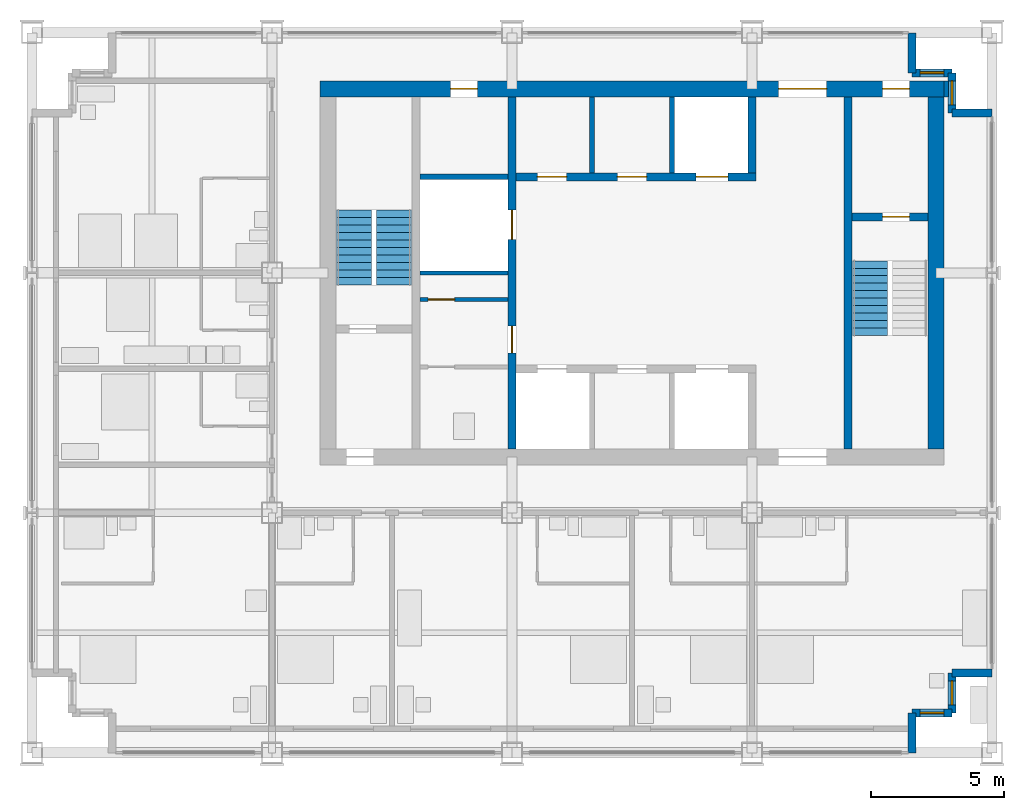
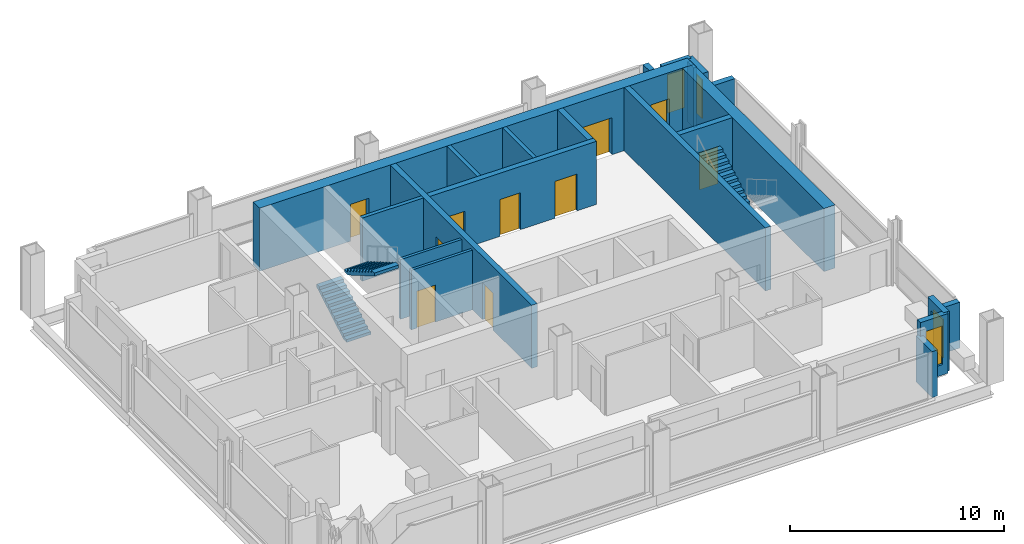
# One storey, part 8 of 12: 21 walls, 10 doors, 4 windows, 3 stair flights, 14 openings, 2 elements without a shape of their own.
"""IFC4 building model written with IfcOpenShell, lengths in metres."""

from ifc_helpers import new_model, si_unit, direction, frame, frame_2d, origin, place, context, subcontext, project, spatial, polyline, rectangle, outline, extrude, material, layer, layer_set, type_object, element, fill, aggregate, save


model = new_model("IFC4")

# Units and contexts
model_context = context("Model", 3, precision=1e-05, world=origin(), true_north=direction((0.0, 1.0)))
body_context = subcontext(model_context, "Body", "Model", "MODEL_VIEW")
ifc_project = project(units=[si_unit("LENGTHUNIT", "METRE"), si_unit("AREAUNIT", "SQUARE_METRE"), si_unit("VOLUMEUNIT", "CUBIC_METRE"), si_unit("PLANEANGLEUNIT", "RADIAN"), si_unit("MASSUNIT", "GRAM", prefix="KILO")], contexts=[model_context])

# Site, building, storey
site_placement = place(None, origin())
site = spatial("IfcSite", under=ifc_project, at=site_placement, CompositionType="ELEMENT")
building_placement = place(site_placement, origin())
building = spatial("IfcBuilding", under=site, at=building_placement, Name="Loomwork Tower", CompositionType="ELEMENT")
storey_placement = place(building_placement, frame((0.0, 0.0, 237.39990234375)))
storey = spatial("IfcBuildingStorey", under=building, at=storey_placement, Name="L65", CompositionType="ELEMENT", Elevation=237.39990234375)

# Wall, openings, doors
ifc_material_1 = material(Name="Concrete 14000 psi (97 MPa)", Category="concrete")
ifc_layer_1 = layer(ifc_material_1, 0.300048828125)
ifc_layer_set_1 = layer_set([ifc_layer_1], Name="Core shear wall 300")
wall_type_1 = type_object("IfcWallType", Name="Core shear wall 300", PredefinedType="SHEAR", material=ifc_layer_set_1)
wall_1_placement = place(storey_placement, frame((18.0, 11.39990234375, 0.0), z_axis=(0.0, 0.0, 1.0), x_axis=(0.0, 1.0, 0.0)))
wall_1 = element("IfcWall", 1, at=wall_1_placement, inside=storey, type_object=wall_type_1, Name="Lobby west wall L65", PredefinedType="SHEAR", context=body_context, shape_type="SweptSolid", body=[
    extrude(rectangle(XDim=13.2001953125, YDim=0.300048828125, at=frame_2d((6.60009765625, 0.0))), origin(), (0.0, 0.0, 1.0), 3.60009765625),
])
opening_1_placement = place(wall_1_placement, frame((3.60009765625, 0.0, 0.0)))
opening_1 = element("IfcOpeningElement", 2, at=opening_1_placement, cuts=wall_1, Name="Opening D5", PredefinedType="OPENING", context=body_context, shape_type="SweptSolid", body=[
    extrude(rectangle(XDim=1.0, YDim=2.10009765625, at=frame_2d((0.5, 1.050048828125))), frame((0.0, 0.159912109375, 0.0), z_axis=(0.0, -1.0, 0.0), x_axis=(1.0, 0.0, 0.0)), (0.0, 0.0, 1.0), 0.320068359375),
])
opening_2_placement = place(wall_1_placement, frame((7.85009765625, 0.0, 0.0)))
opening_2 = element("IfcOpeningElement", 3, at=opening_2_placement, cuts=wall_1, Name="Opening LD1", PredefinedType="OPENING", context=body_context, shape_type="SweptSolid", body=[
    extrude(rectangle(XDim=1.10009765625, YDim=2.10009765625, at=frame_2d((0.550048828125, 1.050048828125))), frame((0.0, 0.159912109375, 0.0), z_axis=(0.0, -1.0, 0.0), x_axis=(1.0, 0.0, 0.0)), (0.0, 0.0, 1.0), 0.320068359375),
])
ifc_material_2 = material(Name="Hollow metal door and frame")
door_type_1 = type_object("IfcDoorType", Name="Lift landing door 1100", OperationType="SLIDING_TO_LEFT", PredefinedType="DOOR", material=ifc_material_2)
door_1_placement = place(opening_2_placement, origin())
door_1 = element("IfcDoor", 4, at=door_1_placement, inside=storey, type_object=door_type_1, Name="Lift landing door LC2", OperationType="SLIDING_TO_LEFT", OverallHeight=2.10009765625, OverallWidth=1.10009765625, PredefinedType="DOOR", context=body_context, shape_type="SweptSolid", body=[
    extrude(rectangle(XDim=1.10009765625, YDim=2.10009765625, at=frame_2d((0.550048828125, 1.050048828125))), frame((0.0, 0.02490234375, 0.0), z_axis=(0.0, -1.0, 0.0), x_axis=(1.0, 0.0, 0.0)), (0.0, 0.0, 1.0), 0.050048828125),
])
fill(opening_2, door_1)
ifc_material_3 = material(Name="Hollow metal door and frame")
door_type_2 = type_object("IfcDoorType", Name="Service door 1000", OperationType="SINGLE_SWING_LEFT", PredefinedType="DOOR", material=ifc_material_3)
door_2_placement = place(opening_1_placement, origin())
door_2 = element("IfcDoor", 5, at=door_2_placement, inside=storey, type_object=door_type_2, Name="Back-of-house door south", OperationType="SINGLE_SWING_LEFT", OverallHeight=2.10009765625, OverallWidth=1.0, PredefinedType="DOOR", context=body_context, shape_type="SweptSolid", body=[
    extrude(rectangle(XDim=1.0, YDim=2.10009765625, at=frame_2d((0.5, 1.050048828125))), frame((0.0, 0.02490234375, 0.0), z_axis=(0.0, -1.0, 0.0), x_axis=(1.0, 0.0, 0.0)), (0.0, 0.0, 1.0), 0.050048828125),
])
fill(opening_1, door_2)

wall_2_placement = place(storey_placement, frame((18.14990234375, 21.60009765625, 0.0), z_axis=(0.0, 0.0, 1.0), x_axis=(1.0, 0.0, 0.0)))
wall_2 = element("IfcWall", 6, at=wall_2_placement, inside=storey, type_object=wall_type_1, Name="Lift front wall north L65", PredefinedType="SHEAR", context=body_context, shape_type="SweptSolid", body=[
    extrude(rectangle(XDim=9.0, YDim=0.300048828125, at=frame_2d((4.5, 0.0))), origin(), (0.0, 0.0, 1.0), 3.60009765625),
])
opening_3_placement = place(wall_2_placement, frame((6.75, 0.0, 0.0)))
opening_3 = element("IfcOpeningElement", 7, at=opening_3_placement, cuts=wall_2, Name="Opening LD2", PredefinedType="OPENING", context=body_context, shape_type="SweptSolid", body=[
    extrude(rectangle(XDim=1.199951171875, YDim=2.10009765625, at=frame_2d((0.60009765625, 1.050048828125))), frame((0.0, 0.159912109375, 0.0), z_axis=(0.0, -1.0, 0.0), x_axis=(1.0, 0.0, 0.0)), (0.0, 0.0, 1.0), 0.320068359375),
])
opening_4_placement = place(wall_2_placement, frame((0.800048828125, 0.0, 0.0)))
opening_4 = element("IfcOpeningElement", 8, at=opening_4_placement, cuts=wall_2, Name="Opening D17", PredefinedType="OPENING", context=body_context, shape_type="SweptSolid", body=[
    extrude(rectangle(XDim=1.10009765625, YDim=2.10009765625, at=frame_2d((0.550048828125, 1.050048828125))), frame((0.0, 0.159912109375, 0.0), z_axis=(0.0, -1.0, 0.0), x_axis=(1.0, 0.0, 0.0)), (0.0, 0.0, 1.0), 0.320068359375),
])
opening_5_placement = place(wall_2_placement, frame((3.800048828125, 0.0, 0.0)))
opening_5 = element("IfcOpeningElement", 9, at=opening_5_placement, cuts=wall_2, Name="Opening D17", PredefinedType="OPENING", context=body_context, shape_type="SweptSolid", body=[
    extrude(rectangle(XDim=1.10009765625, YDim=2.10009765625, at=frame_2d((0.550048828125, 1.050048828125))), frame((0.0, 0.159912109375, 0.0), z_axis=(0.0, -1.0, 0.0), x_axis=(1.0, 0.0, 0.0)), (0.0, 0.0, 1.0), 0.320068359375),
])
ifc_material_4 = material(Name="Hollow metal door and frame")
door_type_3 = type_object("IfcDoorType", Name="Lift landing door 1200", OperationType="SLIDING_TO_LEFT", PredefinedType="DOOR", material=ifc_material_4)
door_3_placement = place(opening_3_placement, origin())
door_3 = element("IfcDoor", 10, at=door_3_placement, inside=storey, type_object=door_type_3, Name="Lift landing door LF2", OperationType="SLIDING_TO_LEFT", OverallHeight=2.10009765625, OverallWidth=1.199951171875, PredefinedType="DOOR", context=body_context, shape_type="SweptSolid", body=[
    extrude(rectangle(XDim=1.199951171875, YDim=2.10009765625, at=frame_2d((0.60009765625, 1.050048828125))), frame((0.0, 0.02490234375, 0.0), z_axis=(0.0, -1.0, 0.0), x_axis=(1.0, 0.0, 0.0)), (0.0, 0.0, 1.0), 0.050048828125),
])
fill(opening_3, door_3)
ifc_material_5 = material(Name="Hollow metal door and frame")
door_type_4 = type_object("IfcDoorType", Name="Service room door 1100", OperationType="SINGLE_SWING_LEFT", PredefinedType="DOOR", material=ifc_material_5)
door_4_placement = place(opening_4_placement, origin())
door_4 = element("IfcDoor", 11, at=door_4_placement, inside=storey, type_object=door_type_4, Name="Linen and housekeeping store door L65", OperationType="SINGLE_SWING_LEFT", OverallHeight=2.10009765625, OverallWidth=1.10009765625, PredefinedType="DOOR", context=body_context, shape_type="SweptSolid", body=[
    extrude(rectangle(XDim=1.10009765625, YDim=2.10009765625, at=frame_2d((0.550048828125, 1.050048828125))), frame((0.0, 0.02490234375, 0.0), z_axis=(0.0, -1.0, 0.0), x_axis=(1.0, 0.0, 0.0)), (0.0, 0.0, 1.0), 0.050048828125),
])
fill(opening_4, door_4)
door_5_placement = place(opening_5_placement, origin())
door_5 = element("IfcDoor", 12, at=door_5_placement, inside=storey, type_object=door_type_4, Name="IT and communications room door L65", OperationType="SINGLE_SWING_LEFT", OverallHeight=2.10009765625, OverallWidth=1.10009765625, PredefinedType="DOOR", context=body_context, shape_type="SweptSolid", body=[
    extrude(rectangle(XDim=1.10009765625, YDim=2.10009765625, at=frame_2d((0.550048828125, 1.050048828125))), frame((0.0, 0.02490234375, 0.0), z_axis=(0.0, -1.0, 0.0), x_axis=(1.0, 0.0, 0.0)), (0.0, 0.0, 1.0), 0.050048828125),
])
fill(opening_5, door_5)

# Walls
wall_3_placement = place(storey_placement, frame((27.0, 21.75, 0.0), z_axis=(0.0, 0.0, 1.0), x_axis=(0.0, 1.0, 0.0)))
element("IfcWall", 13, at=wall_3_placement, inside=storey, type_object=wall_type_1, Name="Lift shaft end wall north L65", PredefinedType="SHEAR", context=body_context, shape_type="SweptSolid", body=[
    extrude(rectangle(XDim=2.85009765625, YDim=0.300048828125, at=frame_2d((1.425048828125, 0.0))), origin(), (0.0, 0.0, 1.0), 3.60009765625),
])
wall_4_placement = place(storey_placement, frame((30.60009765625, 11.39990234375, 0.0), z_axis=(0.0, 0.0, 1.0), x_axis=(0.0, 1.0, 0.0)))
element("IfcWall", 14, at=wall_4_placement, inside=storey, type_object=wall_type_1, Name="Stair B west wall L65", PredefinedType="SHEAR", context=body_context, shape_type="SweptSolid", body=[
    extrude(rectangle(XDim=13.2001953125, YDim=0.300048828125, at=frame_2d((6.60009765625, 0.0))), origin(), (0.0, 0.0, 1.0), 3.60009765625),
])

# Wall, opening, door
wall_5_placement = place(storey_placement, frame((30.75, 20.10009765625, 0.0), z_axis=(0.0, 0.0, 1.0), x_axis=(1.0, 0.0, 0.0)))
wall_5 = element("IfcWall", 15, at=wall_5_placement, inside=storey, type_object=wall_type_1, Name="Stair B north wall L65", PredefinedType="SHEAR", context=body_context, shape_type="SweptSolid", body=[
    extrude(rectangle(XDim=2.85009765625, YDim=0.300048828125, at=frame_2d((1.425048828125, 0.0))), origin(), (0.0, 0.0, 1.0), 3.60009765625),
])
opening_6_placement = place(wall_5_placement, frame((1.14990234375, 0.0, 0.0)))
opening_6 = element("IfcOpeningElement", 16, at=opening_6_placement, cuts=wall_5, Name="Opening D4", PredefinedType="OPENING", context=body_context, shape_type="SweptSolid", body=[
    extrude(rectangle(XDim=1.0, YDim=2.10009765625, at=frame_2d((0.5, 1.050048828125))), frame((0.0, 0.159912109375, 0.0), z_axis=(0.0, -1.0, 0.0), x_axis=(1.0, 0.0, 0.0)), (0.0, 0.0, 1.0), 0.320068359375),
])
ifc_material_6 = material(Name="Hollow metal door and frame")
door_type_5 = type_object("IfcDoorType", Name="Stair door 1000", OperationType="SINGLE_SWING_RIGHT", PredefinedType="DOOR", material=ifc_material_6)
door_6_placement = place(opening_6_placement, frame((1.0, 0.0, 0.0), z_axis=(0.0, 0.0, 1.0), x_axis=(-1.0, 0.0, 0.0)))
door_6 = element("IfcDoor", 17, at=door_6_placement, inside=storey, type_object=door_type_5, Name="Stair B door", OperationType="SINGLE_SWING_LEFT", OverallHeight=2.10009765625, OverallWidth=1.0, PredefinedType="DOOR", context=body_context, shape_type="SweptSolid", body=[
    extrude(rectangle(XDim=1.0, YDim=2.10009765625, at=frame_2d((0.5, 1.050048828125))), frame((0.0, 0.02490234375, 0.0), z_axis=(0.0, -1.0, 0.0), x_axis=(1.0, 0.0, 0.0)), (0.0, 0.0, 1.0), 0.050048828125),
])
fill(opening_6, door_6)

# Wall, openings, doors
ifc_material_7 = material(Name="Concrete 14000 psi (97 MPa)", Category="concrete")
ifc_layer_2 = layer(ifc_material_7, 0.60009765625)
ifc_layer_set_2 = layer_set([ifc_layer_2], Name="Core shear wall 600")
wall_type_2 = type_object("IfcWallType", Name="Core shear wall 600", PredefinedType="SHEAR", material=ifc_layer_set_2)
wall_6_placement = place(storey_placement, frame((10.800048828125, 24.89990234375, 0.0), z_axis=(0.0, 0.0, 1.0), x_axis=(1.0, 0.0, 0.0)))
wall_6 = element("IfcWall", 18, at=wall_6_placement, inside=storey, type_object=wall_type_2, Name="Core wall north L65", PredefinedType="SHEAR", context=body_context, shape_type="SweptSolid", body=[
    extrude(rectangle(XDim=23.39990234375, YDim=0.60009765625, at=frame_2d((11.699951171875, 0.0))), origin(), (0.0, 0.0, 1.0), 3.60009765625),
])
opening_7_placement = place(wall_6_placement, frame((17.199951171875, 0.0, 0.0)))
opening_7 = element("IfcOpeningElement", 19, at=opening_7_placement, cuts=wall_6, Name="Opening D6", PredefinedType="OPENING", context=body_context, shape_type="SweptSolid", body=[
    extrude(rectangle(XDim=1.800048828125, YDim=2.10009765625, at=frame_2d((0.89990234375, 1.050048828125))), frame((0.0, 0.31005859375, 0.0), z_axis=(0.0, -1.0, 0.0), x_axis=(1.0, 0.0, 0.0)), (0.0, 0.0, 1.0), 0.6201171875),
])
opening_8_placement = place(wall_6_placement, frame((21.10009765625, 0.0, 0.0)))
opening_8 = element("IfcOpeningElement", 20, at=opening_8_placement, cuts=wall_6, Name="Opening D4", PredefinedType="OPENING", context=body_context, shape_type="SweptSolid", body=[
    extrude(rectangle(XDim=1.0, YDim=2.10009765625, at=frame_2d((0.5, 1.050048828125))), frame((0.0, 0.31005859375, 0.0), z_axis=(0.0, -1.0, 0.0), x_axis=(1.0, 0.0, 0.0)), (0.0, 0.0, 1.0), 0.6201171875),
])
opening_9_placement = place(wall_6_placement, frame((4.89990234375, 0.0, 0.0)))
opening_9 = element("IfcOpeningElement", 21, at=opening_9_placement, cuts=wall_6, Name="Opening D5", PredefinedType="OPENING", context=body_context, shape_type="SweptSolid", body=[
    extrude(rectangle(XDim=1.0, YDim=2.10009765625, at=frame_2d((0.5, 1.050048828125))), frame((0.0, 0.31005859375, 0.0), z_axis=(0.0, -1.0, 0.0), x_axis=(1.0, 0.0, 0.0)), (0.0, 0.0, 1.0), 0.6201171875),
])
ifc_material_8 = material(Name="Hollow metal door and frame")
door_type_6 = type_object("IfcDoorType", Name="Lobby passage double door 1800", OperationType="DOUBLE_DOOR_SINGLE_SWING", PredefinedType="DOOR", material=ifc_material_8)
door_7_placement = place(opening_7_placement, frame((1.800048828125, 0.0, 0.0), z_axis=(0.0, 0.0, 1.0), x_axis=(-1.0, 0.0, 0.0)))
door_7 = element("IfcDoor", 22, at=door_7_placement, inside=storey, type_object=door_type_6, Name="Lobby passage door north", OperationType="DOUBLE_DOOR_SINGLE_SWING", OverallHeight=2.10009765625, OverallWidth=1.800048828125, PredefinedType="DOOR", context=body_context, shape_type="SweptSolid", body=[
    extrude(rectangle(XDim=1.800048828125, YDim=2.10009765625, at=frame_2d((0.89990234375, 1.050048828125))), frame((0.0, 0.02490234375, 0.0), z_axis=(0.0, -1.0, 0.0), x_axis=(1.0, 0.0, 0.0)), (0.0, 0.0, 1.0), 0.050048828125),
])
fill(opening_7, door_7)
door_8_placement = place(opening_9_placement, frame((1.0, 0.0, 0.0), z_axis=(0.0, 0.0, 1.0), x_axis=(-1.0, 0.0, 0.0)))
door_8 = element("IfcDoor", 23, at=door_8_placement, inside=storey, type_object=door_type_2, Name="Back-of-house door north", OperationType="SINGLE_SWING_LEFT", OverallHeight=2.10009765625, OverallWidth=1.0, PredefinedType="DOOR", context=body_context, shape_type="SweptSolid", body=[
    extrude(rectangle(XDim=1.0, YDim=2.10009765625, at=frame_2d((0.5, 1.050048828125))), frame((0.0, 0.02490234375, 0.0), z_axis=(0.0, -1.0, 0.0), x_axis=(1.0, 0.0, 0.0)), (0.0, 0.0, 1.0), 0.050048828125),
])
fill(opening_9, door_8)
door_9_placement = place(opening_8_placement, frame((1.0, 0.0, 0.0), z_axis=(0.0, 0.0, 1.0), x_axis=(-1.0, 0.0, 0.0)))
door_9 = element("IfcDoor", 24, at=door_9_placement, inside=storey, type_object=door_type_5, Name="Stair B vestibule door", OperationType="SINGLE_SWING_LEFT", OverallHeight=2.10009765625, OverallWidth=1.0, PredefinedType="DOOR", context=body_context, shape_type="SweptSolid", body=[
    extrude(rectangle(XDim=1.0, YDim=2.10009765625, at=frame_2d((0.5, 1.050048828125))), frame((0.0, 0.02490234375, 0.0), z_axis=(0.0, -1.0, 0.0), x_axis=(1.0, 0.0, 0.0)), (0.0, 0.0, 1.0), 0.050048828125),
])
fill(opening_8, door_9)

# Walls
wall_7_placement = place(storey_placement, frame((33.89990234375, 11.39990234375, 0.0), z_axis=(0.0, 0.0, 1.0), x_axis=(0.0, 1.0, 0.0)))
element("IfcWall", 25, at=wall_7_placement, inside=storey, type_object=wall_type_2, Name="Core wall east L65", PredefinedType="SHEAR", context=body_context, shape_type="SweptSolid", body=[
    extrude(rectangle(XDim=13.2001953125, YDim=0.60009765625, at=frame_2d((6.60009765625, 0.0))), origin(), (0.0, 0.0, 1.0), 3.60009765625),
])
ifc_material_9 = material(Name="Concrete 14000 psi (97 MPa)", Category="concrete")
ifc_layer_3 = layer(ifc_material_9, 0.199951171875)
ifc_layer_set_3 = layer_set([ifc_layer_3], Name="Lift shaft wall 200")
wall_type_3 = type_object("IfcWallType", Name="Lift shaft wall 200", PredefinedType="SHEAR", material=ifc_layer_set_3)
for number, where, z_axis, x_axis, name in (
    (26, (21.0, 21.75, 0.0), (0.0, 0.0, 1.0), (0.0, 1.0, 0.0), "Lift shaft separation wall north 1 L65"),
    (27, (24.0, 21.75, 0.0), (0.0, 0.0, 1.0), (0.0, 1.0, 0.0), "Lift shaft separation wall north 2 L65"),
):
    element("IfcWall", number, at=place(storey_placement, frame(where, z_axis=z_axis, x_axis=x_axis)), inside=storey, type_object=wall_type_3, Name=name, PredefinedType="SHEAR", context=body_context, shape_type="SweptSolid", body=[
        extrude(rectangle(XDim=2.85009765625, YDim=0.199951171875, at=frame_2d((1.425048828125, 0.0))), origin(), (0.0, 0.0, 1.0), 3.60009765625),
    ])
wall_8_placement = place(storey_placement, frame((14.550048828125, 21.60009765625, 0.0), z_axis=(0.0, 0.0, 1.0), x_axis=(1.0, 0.0, 0.0)))
element("IfcWall", 28, at=wall_8_placement, inside=storey, type_object=wall_type_3, Name="Lift shaft wall west north L65", PredefinedType="SHEAR", context=body_context, shape_type="SweptSolid", body=[
    extrude(rectangle(XDim=3.300048828125, YDim=0.199951171875, at=frame_2d((1.64990234375, 0.0))), origin(), (0.0, 0.0, 1.0), 3.60009765625),
])
ifc_material_10 = material(Name="Limestone on concrete masonry", Category="masonry")
ifc_layer_4 = layer(ifc_material_10, 0.300048828125)
ifc_layer_set_4 = layer_set([ifc_layer_4], Name="Limestone corner wall 300")
wall_type_4 = type_object("IfcWallType", Name="Limestone corner wall 300", PredefinedType="SOLIDWALL", material=ifc_layer_set_4)
wall_9_placement = place(storey_placement, frame((33.0, 0.0, 0.0), z_axis=(0.0, 0.0, 1.0), x_axis=(0.0, 1.0, 0.0)))
element("IfcWall", 29, at=wall_9_placement, inside=storey, type_object=wall_type_4, Name="Stone corner wall SE 1", PredefinedType="SOLIDWALL", context=body_context, shape_type="SweptSolid", body=[
    extrude(rectangle(XDim=1.5, YDim=0.300048828125, at=frame_2d((0.75, 0.0))), origin(), (0.0, 0.0, 1.0), 2.6201171875),
])

# Wall, opening, window
wall_10_placement = place(storey_placement, frame((33.0, 1.5, 0.0), z_axis=(0.0, 0.0, 1.0), x_axis=(1.0, 0.0, 0.0)))
wall_10 = element("IfcWall", 30, at=wall_10_placement, inside=storey, type_object=wall_type_4, Name="Stone corner wall SE 2", PredefinedType="SOLIDWALL", context=body_context, shape_type="SweptSolid", body=[
    extrude(rectangle(XDim=1.5, YDim=0.300048828125, at=frame_2d((0.75, 0.0))), origin(), (0.0, 0.0, 1.0), 3.400146484375),
])
opening_10_placement = place(wall_10_placement, frame((0.300048828125, 0.0, 0.60009765625)))
opening_10 = element("IfcOpeningElement", 31, at=opening_10_placement, cuts=wall_10, Name="Opening CH2", PredefinedType="OPENING", context=body_context, shape_type="SweptSolid", body=[
    extrude(rectangle(XDim=0.89990234375, YDim=2.199951171875, at=frame_2d((0.449951171875, 1.10009765625))), frame((0.0, 0.159912109375, 0.0), z_axis=(0.0, -1.0, 0.0), x_axis=(1.0, 0.0, 0.0)), (0.0, 0.0, 1.0), 0.320068359375),
])
ifc_material_11 = material(Name="Aluminium frame with clear insulated glass", Category="aluminium")
window_type = type_object("IfcWindowType", Name="Corner window 900", PartitioningType="SINGLE_PANEL", PredefinedType="WINDOW", material=ifc_material_11)
window_1_placement = place(opening_10_placement, origin())
window_1 = element("IfcWindow", 32, at=window_1_placement, inside=storey, type_object=window_type, Name="Corner window SE", OverallHeight=2.199951171875, OverallWidth=0.89990234375, PartitioningType="SINGLE_PANEL", PredefinedType="WINDOW", context=body_context, shape_type="SweptSolid", body=[
    extrude(rectangle(XDim=0.89990234375, YDim=2.199951171875, at=frame_2d((0.449951171875, 1.10009765625))), frame((0.0, 0.030029296875, 0.0), z_axis=(0.0, -1.0, 0.0), x_axis=(1.0, 0.0, 0.0)), (0.0, 0.0, 1.0), 0.06005859375),
])
fill(opening_10, window_1)

wall_11_placement = place(storey_placement, frame((34.5, 1.5, 0.0), z_axis=(0.0, 0.0, 1.0), x_axis=(0.0, 1.0, 0.0)))
wall_11 = element("IfcWall", 33, at=wall_11_placement, inside=storey, type_object=wall_type_4, Name="Stone corner wall SE 3", PredefinedType="SOLIDWALL", context=body_context, shape_type="SweptSolid", body=[
    extrude(rectangle(XDim=1.5, YDim=0.300048828125, at=frame_2d((0.75, 0.0))), origin(), (0.0, 0.0, 1.0), 3.400146484375),
])
opening_11_placement = place(wall_11_placement, frame((0.300048828125, 0.0, 0.60009765625)))
opening_11 = element("IfcOpeningElement", 34, at=opening_11_placement, cuts=wall_11, Name="Opening CH2", PredefinedType="OPENING", context=body_context, shape_type="SweptSolid", body=[
    extrude(rectangle(XDim=0.89990234375, YDim=2.199951171875, at=frame_2d((0.449951171875, 1.10009765625))), frame((0.0, 0.159912109375, 0.0), z_axis=(0.0, -1.0, 0.0), x_axis=(1.0, 0.0, 0.0)), (0.0, 0.0, 1.0), 0.320068359375),
])
window_2_placement = place(opening_11_placement, origin())
window_2 = element("IfcWindow", 35, at=window_2_placement, inside=storey, type_object=window_type, Name="Corner window SE", OverallHeight=2.199951171875, OverallWidth=0.89990234375, PartitioningType="SINGLE_PANEL", PredefinedType="WINDOW", context=body_context, shape_type="SweptSolid", body=[
    extrude(rectangle(XDim=0.89990234375, YDim=2.199951171875, at=frame_2d((0.449951171875, 1.10009765625))), frame((0.0, 0.030029296875, 0.0), z_axis=(0.0, -1.0, 0.0), x_axis=(1.0, 0.0, 0.0)), (0.0, 0.0, 1.0), 0.06005859375),
])
fill(opening_11, window_2)

# Walls
for number, where, z_axis, x_axis, name in (
    (36, (34.5, 3.0, 0.0), (0.0, 0.0, 1.0), (1.0, 0.0, 0.0), "Stone corner wall SE 4"),
    (37, (36.0, 24.0, 0.0), (0.0, 0.0, 1.0), (-1.0, 0.0, 0.0), "Stone corner wall NE 1"),
):
    element("IfcWall", number, at=place(storey_placement, frame(where, z_axis=z_axis, x_axis=x_axis)), inside=storey, type_object=wall_type_4, Name=name, PredefinedType="SOLIDWALL", context=body_context, shape_type="SweptSolid", body=[
        extrude(rectangle(XDim=1.5, YDim=0.300048828125, at=frame_2d((0.75, 0.0))), origin(), (0.0, 0.0, 1.0), 2.6201171875),
    ])

# Wall, opening, window
wall_12_placement = place(storey_placement, frame((34.5, 24.0, 0.0), z_axis=(0.0, 0.0, 1.0), x_axis=(0.0, 1.0, 0.0)))
wall_12 = element("IfcWall", 38, at=wall_12_placement, inside=storey, type_object=wall_type_4, Name="Stone corner wall NE 2", PredefinedType="SOLIDWALL", context=body_context, shape_type="SweptSolid", body=[
    extrude(rectangle(XDim=1.5, YDim=0.300048828125, at=frame_2d((0.75, 0.0))), origin(), (0.0, 0.0, 1.0), 3.400146484375),
])
opening_12_placement = place(wall_12_placement, frame((0.300048828125, 0.0, 0.60009765625)))
opening_12 = element("IfcOpeningElement", 39, at=opening_12_placement, cuts=wall_12, Name="Opening CH2", PredefinedType="OPENING", context=body_context, shape_type="SweptSolid", body=[
    extrude(rectangle(XDim=0.89990234375, YDim=2.199951171875, at=frame_2d((0.449951171875, 1.10009765625))), frame((0.0, 0.159912109375, 0.0), z_axis=(0.0, -1.0, 0.0), x_axis=(1.0, 0.0, 0.0)), (0.0, 0.0, 1.0), 0.320068359375),
])
window_3_placement = place(opening_12_placement, origin())
window_3 = element("IfcWindow", 40, at=window_3_placement, inside=storey, type_object=window_type, Name="Corner window NE", OverallHeight=2.199951171875, OverallWidth=0.89990234375, PartitioningType="SINGLE_PANEL", PredefinedType="WINDOW", context=body_context, shape_type="SweptSolid", body=[
    extrude(rectangle(XDim=0.89990234375, YDim=2.199951171875, at=frame_2d((0.449951171875, 1.10009765625))), frame((0.0, 0.030029296875, 0.0), z_axis=(0.0, -1.0, 0.0), x_axis=(1.0, 0.0, 0.0)), (0.0, 0.0, 1.0), 0.06005859375),
])
fill(opening_12, window_3)

wall_13_placement = place(storey_placement, frame((34.5, 25.5, 0.0), z_axis=(0.0, 0.0, 1.0), x_axis=(-1.0, 0.0, 0.0)))
wall_13 = element("IfcWall", 41, at=wall_13_placement, inside=storey, type_object=wall_type_4, Name="Stone corner wall NE 3", PredefinedType="SOLIDWALL", context=body_context, shape_type="SweptSolid", body=[
    extrude(rectangle(XDim=1.5, YDim=0.300048828125, at=frame_2d((0.75, 0.0))), origin(), (0.0, 0.0, 1.0), 3.400146484375),
])
opening_13_placement = place(wall_13_placement, frame((0.300048828125, 0.0, 0.60009765625)))
opening_13 = element("IfcOpeningElement", 42, at=opening_13_placement, cuts=wall_13, Name="Opening CH2", PredefinedType="OPENING", context=body_context, shape_type="SweptSolid", body=[
    extrude(rectangle(XDim=0.89990234375, YDim=2.199951171875, at=frame_2d((0.449951171875, 1.10009765625))), frame((0.0, 0.159912109375, 0.0), z_axis=(0.0, -1.0, 0.0), x_axis=(1.0, 0.0, 0.0)), (0.0, 0.0, 1.0), 0.320068359375),
])
window_4_placement = place(opening_13_placement, origin())
window_4 = element("IfcWindow", 43, at=window_4_placement, inside=storey, type_object=window_type, Name="Corner window NE", OverallHeight=2.199951171875, OverallWidth=0.89990234375, PartitioningType="SINGLE_PANEL", PredefinedType="WINDOW", context=body_context, shape_type="SweptSolid", body=[
    extrude(rectangle(XDim=0.89990234375, YDim=2.199951171875, at=frame_2d((0.449951171875, 1.10009765625))), frame((0.0, 0.030029296875, 0.0), z_axis=(0.0, -1.0, 0.0), x_axis=(1.0, 0.0, 0.0)), (0.0, 0.0, 1.0), 0.06005859375),
])
fill(opening_13, window_4)

# Walls
wall_14_placement = place(storey_placement, frame((33.0, 25.5, 0.0), z_axis=(0.0, 0.0, 1.0), x_axis=(0.0, 1.0, 0.0)))
element("IfcWall", 44, at=wall_14_placement, inside=storey, type_object=wall_type_4, Name="Stone corner wall NE 4", PredefinedType="SOLIDWALL", context=body_context, shape_type="SweptSolid", body=[
    extrude(rectangle(XDim=1.5, YDim=0.300048828125, at=frame_2d((0.75, 0.0))), origin(), (0.0, 0.0, 1.0), 2.6201171875),
])
ifc_material_12 = material(Name="Gypsum board on steel studs", Category="steel")
ifc_layer_5 = layer(ifc_material_12, 0.14990234375)
ifc_layer_set_5 = layer_set([ifc_layer_5], Name="Partition 150 two-hour")
wall_type_5 = type_object("IfcWallType", Name="Partition 150 two-hour", PredefinedType="PARTITIONING", material=ifc_layer_set_5)
wall_15_placement = place(storey_placement, frame((14.550048828125, 18.0, 0.0), z_axis=(0.0, 0.0, 1.0), x_axis=(1.0, 0.0, 0.0)))
element("IfcWall", 45, at=wall_15_placement, inside=storey, type_object=wall_type_5, Name="Back-of-house dividing wall L65", PredefinedType="PARTITIONING", context=body_context, shape_type="SweptSolid", body=[
    extrude(rectangle(XDim=3.300048828125, YDim=0.14990234375, at=frame_2d((1.64990234375, 0.0))), origin(), (0.0, 0.0, 1.0), 3.400146484375),
])
ifc_material_13 = material(Name="Gypsum board on steel studs, one-hour", Category="steel")
ifc_layer_6 = layer(ifc_material_13, 0.14990234375)
ifc_layer_set_6 = layer_set([ifc_layer_6], Name="Service partition 150")
wall_type_6 = type_object("IfcWallType", Name="Service partition 150", PredefinedType="PARTITIONING", material=ifc_layer_set_6)
wall_16_placement = place(storey_placement, frame((34.199951171875, 24.89990234375, 0.0), z_axis=(0.0, 0.0, 1.0), x_axis=(1.0, 0.0, 0.0)))
element("IfcWall", 46, at=wall_16_placement, inside=storey, type_object=wall_type_6, Name="Core wall infill L65", PredefinedType="PARTITIONING", context=body_context, shape_type="SweptSolid", body=[
    extrude(rectangle(XDim=0.16015625, YDim=0.60009765625, at=frame_2d((0.080078125, 0.0))), origin(), (0.0, 0.0, 1.0), 3.400146484375),
])

# Wall, opening, door
wall_17_placement = place(storey_placement, frame((14.550048828125, 17.0, 0.0), z_axis=(0.0, 0.0, 1.0), x_axis=(1.0, 0.0, 0.0)))
wall_17 = element("IfcWall", 47, at=wall_17_placement, inside=storey, type_object=wall_type_6, Name="Riser enclosure L65", PredefinedType="PARTITIONING", context=body_context, shape_type="SweptSolid", body=[
    extrude(rectangle(XDim=3.300048828125, YDim=0.14990234375, at=frame_2d((1.64990234375, 0.0))), origin(), (0.0, 0.0, 1.0), 3.400146484375),
])
opening_14_placement = place(wall_17_placement, frame((0.300048828125, 0.0, 0.0)))
opening_14 = element("IfcOpeningElement", 48, at=opening_14_placement, cuts=wall_17, Name="Opening D18", PredefinedType="OPENING", context=body_context, shape_type="SweptSolid", body=[
    extrude(rectangle(XDim=1.0, YDim=2.10009765625, at=frame_2d((0.5, 1.050048828125))), frame((0.0, 0.0849609375, 0.0), z_axis=(0.0, -1.0, 0.0), x_axis=(1.0, 0.0, 0.0)), (0.0, 0.0, 1.0), 0.169921875),
])
ifc_material_14 = material(Name="Hollow metal door and frame")
door_type_7 = type_object("IfcDoorType", Name="Ninety-minute service door 1000", OperationType="SINGLE_SWING_LEFT", PredefinedType="DOOR", material=ifc_material_14)
door_10_placement = place(opening_14_placement, frame((1.0, 0.0, 0.0), z_axis=(0.0, 0.0, 1.0), x_axis=(-1.0, 0.0, 0.0)))
door_10 = element("IfcDoor", 49, at=door_10_placement, inside=storey, type_object=door_type_7, Name="Riser access door", OperationType="SINGLE_SWING_RIGHT", OverallHeight=2.10009765625, OverallWidth=1.0, PredefinedType="DOOR", context=body_context, shape_type="SweptSolid", body=[
    extrude(rectangle(XDim=1.0, YDim=2.10009765625, at=frame_2d((0.5, 1.050048828125))), frame((0.0, 0.02490234375, 0.0), z_axis=(0.0, -1.0, 0.0), x_axis=(1.0, 0.0, 0.0)), (0.0, 0.0, 1.0), 0.050048828125),
])
fill(opening_14, door_10)

# Stair, stair flights
ifc_material_15 = material(Name="Concrete 5000 psi (34 MPa) precast stair", Category="concrete")
stair_type_1 = type_object("IfcStairType", Name="Stair ST-A 22 risers 2850 wide", PredefinedType="HALF_TURN_STAIR", material=ifc_material_15)
stair_1_placement = place(storey_placement, origin())
stair_1 = element("IfcStair", 50, at=stair_1_placement, inside=storey, type_object=stair_type_1, Name="Stair A L65", PredefinedType="HALF_TURN_STAIR")
ifc_material_16 = material(Name="Concrete 5000 psi (34 MPa) precast stair", Category="concrete")
stair_flight_type_1 = type_object("IfcStairFlightType", Name="Stair flight ST-A 11 risers 1300 wide", PredefinedType="STRAIGHT", material=ifc_material_16)
stair_flight_1_placement = place(storey_placement, frame((12.074951171875, 17.550048828125, 0.0), z_axis=(0.0, 0.0, 1.0), x_axis=(0.0, 1.0, 0.0)))
stair_flight_1 = element("IfcStairFlight", 51, at=stair_flight_1_placement, type_object=stair_flight_type_1, Name="ST-A flight 1", NumberOfRisers=11, NumberOfTreads=10, PredefinedType="STRAIGHT", RiserHeight=0.163636364, TreadLength=0.28, context=body_context, shape_type="SweptSolid", body=[
    extrude(outline(polyline([(0.0, 0.0), (0.0, 0.16357421875), (0.280029296875, 0.16357421875), (0.280029296875, 0.327392578125), (0.56005859375, 0.327392578125), (0.56005859375, 0.490966796875), (0.840087890625, 0.490966796875), (0.840087890625, 0.654541015625), (1.1201171875, 0.654541015625), (1.1201171875, 0.818115234375), (1.39990234375, 0.818115234375), (1.39990234375, 0.98193359375), (1.679931640625, 0.98193359375), (1.679931640625, 1.1455078125), (1.9599609375, 1.1455078125), (1.9599609375, 1.30908203125), (2.239990234375, 1.30908203125), (2.239990234375, 1.47265625), (2.52001953125, 1.47265625), (2.52001953125, 1.636474609375), (2.800048828125, 1.636474609375), (2.800048828125, 1.800048828125), (2.800048828125, 1.462646484375), (0.297119140625, 0.0), (0.0, 0.0)])), frame((0.0, 0.64990234375, 0.0), z_axis=(0.0, -1.0, 0.0), x_axis=(1.0, 0.0, 0.0)), (0.0, 0.0, 1.0), 1.300048828125),
])
stair_flight_2_placement = place(storey_placement, frame((13.574951171875, 20.35009765625, 1.800048828125), z_axis=(0.0, 0.0, 1.0), x_axis=(0.0, -1.0, 0.0)))
stair_flight_2 = element("IfcStairFlight", 52, at=stair_flight_2_placement, type_object=stair_flight_type_1, Name="ST-A flight 2", NumberOfRisers=11, NumberOfTreads=10, PredefinedType="STRAIGHT", RiserHeight=0.163636364, TreadLength=0.28, context=body_context, shape_type="SweptSolid", body=[
    extrude(outline(polyline([(0.0, 0.0), (0.0, 0.16357421875), (0.280029296875, 0.16357421875), (0.280029296875, 0.327392578125), (0.56005859375, 0.327392578125), (0.56005859375, 0.490966796875), (0.840087890625, 0.490966796875), (0.840087890625, 0.654541015625), (1.1201171875, 0.654541015625), (1.1201171875, 0.818115234375), (1.39990234375, 0.818115234375), (1.39990234375, 0.98193359375), (1.679931640625, 0.98193359375), (1.679931640625, 1.1455078125), (1.9599609375, 1.1455078125), (1.9599609375, 1.30908203125), (2.239990234375, 1.30908203125), (2.239990234375, 1.47265625), (2.52001953125, 1.47265625), (2.52001953125, 1.636474609375), (2.800048828125, 1.636474609375), (2.800048828125, 1.800048828125), (2.800048828125, 1.462646484375), (0.297119140625, 0.0), (0.0, 0.0)])), frame((0.0, 0.64990234375, 0.0), z_axis=(0.0, -1.0, 0.0), x_axis=(1.0, 0.0, 0.0)), (0.0, 0.0, 1.0), 1.300048828125),
])
aggregate(stair_1, [stair_flight_1, stair_flight_2])

# Stair, stair flight
ifc_material_17 = material(Name="Concrete 5000 psi (34 MPa) precast stair", Category="concrete")
stair_type_2 = type_object("IfcStairType", Name="Stair ST-B 22 risers 2850 wide", PredefinedType="HALF_TURN_STAIR", material=ifc_material_17)
stair_2_placement = place(storey_placement, origin())
stair_2 = element("IfcStair", 53, at=stair_2_placement, inside=storey, type_object=stair_type_2, Name="Stair B L65", PredefinedType="HALF_TURN_STAIR")
ifc_material_18 = material(Name="Concrete 5000 psi (34 MPa) precast stair", Category="concrete")
stair_flight_type_2 = type_object("IfcStairFlightType", Name="Stair flight ST-B 11 risers 1300 wide", PredefinedType="STRAIGHT", material=ifc_material_18)
stair_flight_3_placement = place(storey_placement, frame((31.425048828125, 15.64990234375, 1.800048828125), z_axis=(0.0, 0.0, 1.0), x_axis=(0.0, 1.0, 0.0)))
stair_flight_3 = element("IfcStairFlight", 54, at=stair_flight_3_placement, type_object=stair_flight_type_2, Name="ST-B flight 2", NumberOfRisers=11, NumberOfTreads=10, PredefinedType="STRAIGHT", RiserHeight=0.163636364, TreadLength=0.28, context=body_context, shape_type="SweptSolid", body=[
    extrude(outline(polyline([(0.0, 0.0), (0.0, 0.16357421875), (0.280029296875, 0.16357421875), (0.280029296875, 0.327392578125), (0.56005859375, 0.327392578125), (0.56005859375, 0.490966796875), (0.840087890625, 0.490966796875), (0.840087890625, 0.654541015625), (1.1201171875, 0.654541015625), (1.1201171875, 0.818115234375), (1.39990234375, 0.818115234375), (1.39990234375, 0.98193359375), (1.679931640625, 0.98193359375), (1.679931640625, 1.1455078125), (1.9599609375, 1.1455078125), (1.9599609375, 1.30908203125), (2.239990234375, 1.30908203125), (2.239990234375, 1.47265625), (2.52001953125, 1.47265625), (2.52001953125, 1.636474609375), (2.800048828125, 1.636474609375), (2.800048828125, 1.800048828125), (2.800048828125, 1.462646484375), (0.297119140625, 0.0), (0.0, 0.0)])), frame((0.0, 0.64990234375, 0.0), z_axis=(0.0, -1.0, 0.0), x_axis=(1.0, 0.0, 0.0)), (0.0, 0.0, 1.0), 1.300048828125),
])
aggregate(stair_2, [stair_flight_3])

save(model, "model.ifc")
